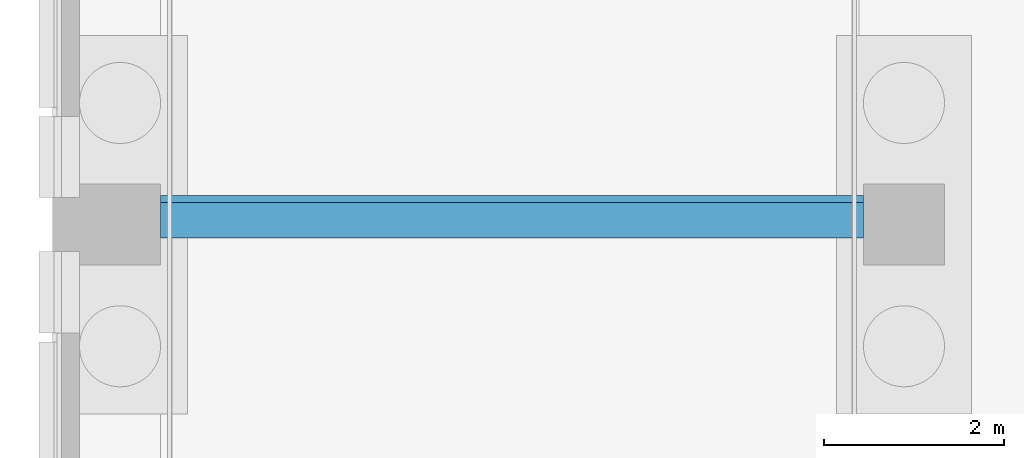
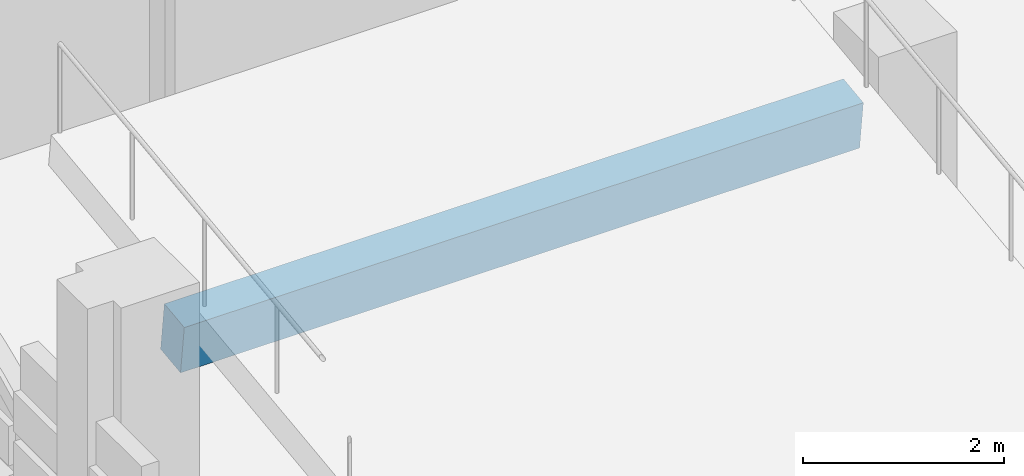
# One storey, part 20 of 99: 1 beam.
"""IFC4 building model written with IfcOpenShell, lengths in metres."""

from ifc_helpers import new_model, si_unit, direction, frame, origin, origin_2d, place, context, subcontext, project, spatial, rectangle, extrude, material, material_profile, profile_set, type_object, element, save


model = new_model("IFC4")

# Units and contexts
model_context = context("Model", 3, precision=1e-05, world=origin(), true_north=direction((0.0, 1.0)))
body_context = subcontext(model_context, "Body", "Model", "MODEL_VIEW")
ifc_project = project(units=[si_unit("LENGTHUNIT", "METRE"), si_unit("AREAUNIT", "SQUARE_METRE"), si_unit("VOLUMEUNIT", "CUBIC_METRE"), si_unit("PLANEANGLEUNIT", "RADIAN"), si_unit("MASSUNIT", "GRAM", prefix="KILO")], contexts=[model_context])

# Site, building, storey
site_placement = place(None, origin())
site = spatial("IfcSite", under=ifc_project, at=site_placement, CompositionType="ELEMENT")
building_placement = place(site_placement, origin())
building = spatial("IfcBuilding", under=site, at=building_placement, Name="Cour d'Honneur Mobility Palace", CompositionType="ELEMENT")
storey_placement = place(building_placement, origin())
storey = spatial("IfcBuildingStorey", under=building, at=storey_placement, Name="L00", CompositionType="ELEMENT", Elevation=0.0)

# Beam
ifc_material = material(Name="Concrete C40", Category="concrete")
ifc_material_profile = material_profile(ifc_material, rectangle(XDim=0.39990234375, YDim=0.60009765625, at=origin_2d()), Name="Ramp cross beam 400x600")
ifc_profile_set = profile_set([ifc_material_profile], Name="Concrete C40")
beam_type = type_object("IfcBeamType", Name="Ramp cross beam 400x600", PredefinedType="BEAM", material=ifc_profile_set)
beam_placement = place(storey_placement, frame((0.449951171875, 37.5869140625, 3.492919921875), z_axis=(1.0, 0.0, 0.0), x_axis=(0.0, 0.992277877469, 0.124034728547)))
element("IfcBeam", 1, at=beam_placement, inside=storey, type_object=beam_type, Name="Ramp cross beam SW.R0-4", PredefinedType="BEAM", context=body_context, shape_type="SweptSolid", body=[
    extrude(rectangle(XDim=0.39990234375, YDim=0.60009765625, at=origin_2d()), origin(), (0.0, 0.0, 1.0), 7.800048828125),
])

save(model, "model.ifc")
